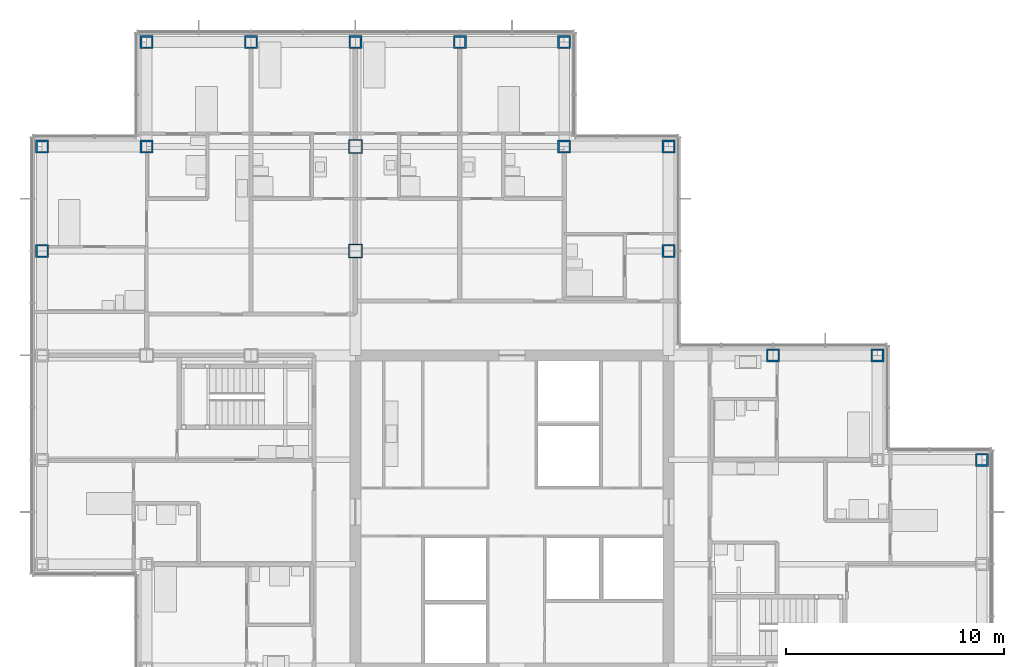
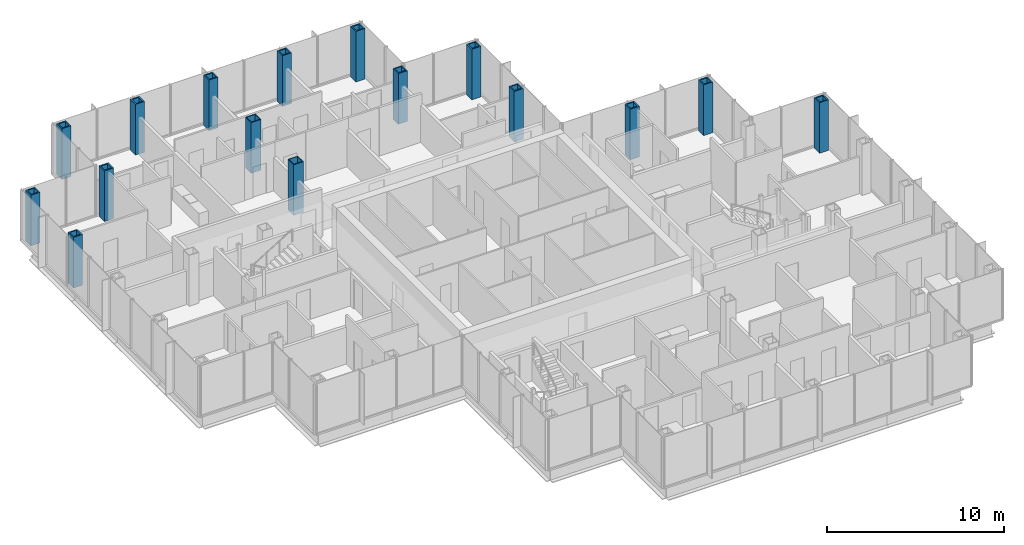
# One storey, part 5 of 20: 16 columns.
"""IFC4 building model written with IfcOpenShell, lengths in metres."""

from ifc_helpers import new_model, si_unit, direction, frame, origin, origin_2d, place, context, subcontext, project, spatial, hollow_rectangle, extrude, material, material_profile, profile_set, type_object, element, save


model = new_model("IFC4")

# Units and contexts
model_context = context("Model", 3, precision=1e-05, world=origin(), true_north=direction((0.0, 1.0)))
body_context = subcontext(model_context, "Body", "Model", "MODEL_VIEW")
ifc_project = project(units=[si_unit("LENGTHUNIT", "METRE"), si_unit("AREAUNIT", "SQUARE_METRE"), si_unit("VOLUMEUNIT", "CUBIC_METRE"), si_unit("PLANEANGLEUNIT", "RADIAN"), si_unit("MASSUNIT", "GRAM", prefix="KILO")], contexts=[model_context])

# Site, building, storey
site_placement = place(None, origin())
site = spatial("IfcSite", under=ifc_project, at=site_placement, CompositionType="ELEMENT")
building_placement = place(site_placement, origin())
building = spatial("IfcBuilding", under=site, at=building_placement, Name="Kvirike Care Tower", CompositionType="ELEMENT")
storey_placement = place(building_placement, frame((0.0, 0.0, 122.5)))
storey = spatial("IfcBuildingStorey", under=building, at=storey_placement, Name="L33", CompositionType="ELEMENT", Elevation=122.5)

# Columns
ifc_material_1 = material(Name="Steel S460", Category="steel")
ifc_material_profile_1 = material_profile(ifc_material_1, hollow_rectangle(XDim=0.60009765625, YDim=0.60009765625, WallThickness=0.080078125, at=origin_2d()), Name="BX 600x600x80")
ifc_profile_set_1 = profile_set([ifc_material_profile_1], Name="Steel S460")
column_type_1 = type_object("IfcColumnType", Name="COLUMN BX 600x600x80", PredefinedType="COLUMN", material=ifc_profile_set_1)
for number, where, z_axis, x_axis, name in (
    (1, (0.0, 48.0, 0.0), (0.0, 0.0, 1.0), (1.0, 0.0, 0.0), "Column L3 L33"),
    (2, (0.0, 52.800048828125, 0.0), (0.0, 0.0, 1.0), (0.0, 1.0, 0.0), "Column M3 L33"),
    (3, (4.800048828125, 52.800048828125, 0.0), (0.0, 0.0, 1.0), (0.0, 1.0, 0.0), "Column M4 L33"),
    (4, (4.800048828125, 57.60009765625, 0.0), (0.0, 0.0, 1.0), (0.0, 1.0, 0.0), "Column N4 L33"),
    (5, (9.60009765625, 57.60009765625, 0.0), (0.0, 0.0, 1.0), (0.0, 1.0, 0.0), "Column N5 L33"),
    (6, (14.39990234375, 57.60009765625, 0.0), (0.0, 0.0, 1.0), (0.0, 1.0, 0.0), "Column N6 L33"),
    (7, (19.199951171875, 57.60009765625, 0.0), (0.0, 0.0, 1.0), (0.0, 1.0, 0.0), "Column N7 L33"),
    (8, (24.0, 52.800048828125, 0.0), (0.0, 0.0, 1.0), (0.0, 1.0, 0.0), "Column M8 L33"),
    (9, (24.0, 57.60009765625, 0.0), (0.0, 0.0, 1.0), (0.0, 1.0, 0.0), "Column N8 L33"),
    (10, (28.800048828125, 48.0, 0.0), (0.0, 0.0, 1.0), (1.0, 0.0, 0.0), "Column L9 L33"),
    (11, (28.800048828125, 52.800048828125, 0.0), (0.0, 0.0, 1.0), (0.0, 1.0, 0.0), "Column M9 L33"),
    (12, (33.60009765625, 43.199951171875, 0.0), (0.0, 0.0, 1.0), (0.0, 1.0, 0.0), "Column K10 L33"),
    (13, (38.39990234375, 43.199951171875, 0.0), (0.0, 0.0, 1.0), (0.0, 1.0, 0.0), "Column K11 L33"),
    (14, (43.199951171875, 38.39990234375, 0.0), (0.0, 0.0, 1.0), (0.0, 1.0, 0.0), "Column J12 L33"),
):
    element("IfcColumn", number, at=place(storey_placement, frame(where, z_axis=z_axis, x_axis=x_axis)), inside=storey, type_object=column_type_1, Name=name, PredefinedType="COLUMN", context=body_context, shape_type="SweptSolid", body=[
        extrude(hollow_rectangle(XDim=0.60009765625, YDim=0.60009765625, WallThickness=0.080078125, at=origin_2d()), origin(), (0.0, 0.0, 1.0), 3.5),
    ])
ifc_material_2 = material(Name="Steel S460", Category="steel")
ifc_material_profile_2 = material_profile(ifc_material_2, hollow_rectangle(XDim=0.64990234375, YDim=0.64990234375, WallThickness=0.050048828125, at=origin_2d()), Name="BX 650x650x50")
ifc_profile_set_2 = profile_set([ifc_material_profile_2], Name="Steel S460")
column_type_2 = type_object("IfcColumnType", Name="COLUMN BX 650x650x50", PredefinedType="COLUMN", material=ifc_profile_set_2)
for number, where, z_axis, x_axis, name in (
    (15, (14.39990234375, 48.0, 0.0), (0.0, 0.0, 1.0), (1.0, 0.0, 0.0), "Column L6 L33"),
    (16, (14.39990234375, 52.800048828125, 0.0), (0.0, 0.0, 1.0), (1.0, 0.0, 0.0), "Column M6 L33"),
):
    element("IfcColumn", number, at=place(storey_placement, frame(where, z_axis=z_axis, x_axis=x_axis)), inside=storey, type_object=column_type_2, Name=name, PredefinedType="COLUMN", context=body_context, shape_type="SweptSolid", body=[
        extrude(hollow_rectangle(XDim=0.64990234375, YDim=0.64990234375, WallThickness=0.050048828125, at=origin_2d()), origin(), (0.0, 0.0, 1.0), 3.5),
    ])

save(model, "model.ifc")
